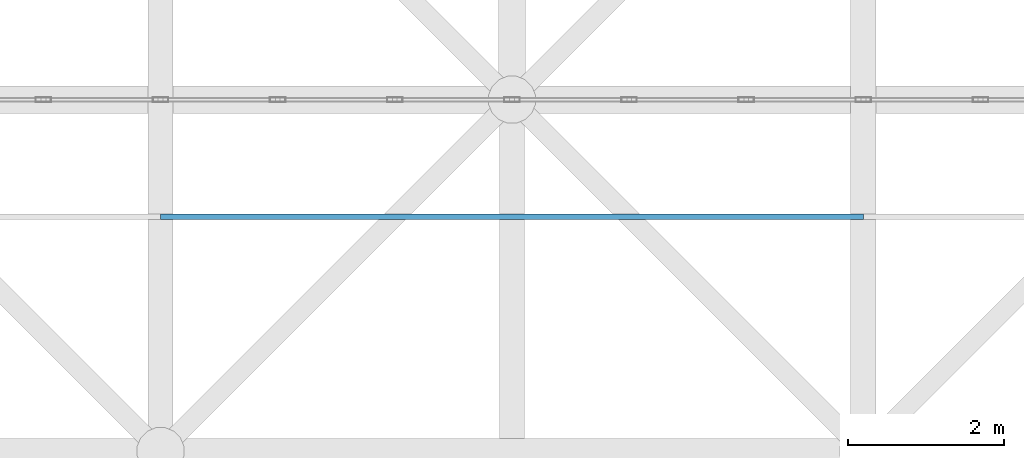
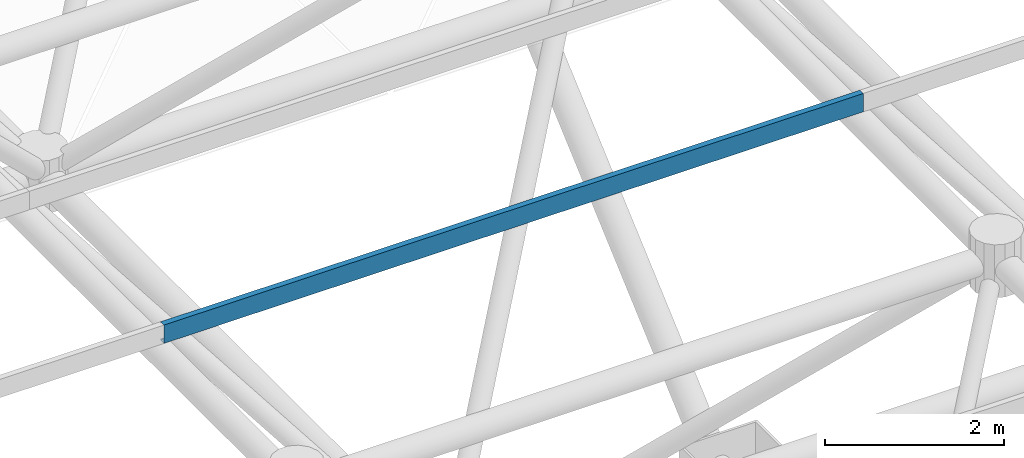
# One storey, part 171 of 437: 1 member.
"""IFC4 building model written with IfcOpenShell, lengths in metres."""

import ifcopenshell
import ifcopenshell.guid

model = None  # the IFC model being written
_history = None  # IfcOwnerHistory: only IFC2X3 demands one
_inside = {}  # id of a spatial element -> (the spatial element, [elements in it])
_under = {}  # id of a project, library or spatial element -> (it, [spatial elements below it])
_declared = {}  # id of a project -> (the project, [libraries it declares])
_typed = {}  # id of a type object -> (the type object, [elements of that type])
_made_of = {}  # id of a material, layer set ... -> (it, [elements and type objects made of it])


def new_model(schema):
    """Start an empty IFC model of exactly this schema.

    Asked for "IFC4X3", IfcOpenShell would pick the latest addendum, in which some entities
    have other attributes; the version numbers below select the first issue.
    IFC2X3 requires an IfcOwnerHistory on every rooted entity: one is made here for all.
    """
    global model, _history
    if schema == "IFC4X3":
        model = ifcopenshell.file(schema_version=(4, 3, 0, 0))
    else:
        model = ifcopenshell.file(schema=schema)
    _inside.clear()
    _under.clear()
    _declared.clear()
    _typed.clear()
    _made_of.clear()
    _history = None
    if model.schema == "IFC2X3":
        org = make("IfcOrganization", Name="unknown")
        user = make(
            "IfcPersonAndOrganization",
            ThePerson=make("IfcPerson", FamilyName="unknown"),
            TheOrganization=org,
        )
        app = make(
            "IfcApplication",
            ApplicationDeveloper=org,
            Version="unknown",
            ApplicationFullName="unknown",
            ApplicationIdentifier="unknown",
        )
        _history = make(
            "IfcOwnerHistory",
            OwningUser=user,
            OwningApplication=app,
            ChangeAction="ADDED",
            CreationDate=0,
        )
    return model


def make(cls, **values):
    """One entity of the class cls with the attributes given. An attribute that is None is left unset."""
    return model.create_entity(
        cls, **{name: value for name, value in values.items() if value is not None}
    )


def rooted(cls, **values):
    """An entity with a GlobalId (a new one), such as an element, a storey or a relation."""
    return make(cls, GlobalId=ifcopenshell.guid.new(), OwnerHistory=_history, **values)


def si_unit(unit_type, name, prefix=None):
    """IfcSIUnit, for example si_unit("LENGTHUNIT", "METRE", prefix="MILLI")."""
    return make("IfcSIUnit", UnitType=unit_type, Prefix=prefix, Name=name)


def assignment(units):
    """IfcUnitAssignment: the units of a project."""
    return None if units is None else make("IfcUnitAssignment", Units=units)


def point(xyz):
    """IfcCartesianPoint."""
    return None if xyz is None else make("IfcCartesianPoint", Coordinates=xyz)


def direction(xyz):
    """IfcDirection."""
    return None if xyz is None else make("IfcDirection", DirectionRatios=xyz)


def frame(location, z_axis=None, x_axis=None):
    """IfcAxis2Placement3D, a coordinate frame: its origin and axes. An axis left out is left unset."""
    return make(
        "IfcAxis2Placement3D",
        Location=point(location),
        Axis=direction(z_axis),
        RefDirection=direction(x_axis),
    )


def origin():
    """The frame at (0, 0, 0) with its axes left unset."""
    return frame((0.0, 0.0, 0.0))


def place(relative_to, where):
    """IfcLocalPlacement: puts the frame where relative to a parent placement (None: the world)."""
    return make(
        "IfcLocalPlacement", PlacementRelTo=relative_to, RelativePlacement=where
    )


def context(
    kind, dimensions, precision=None, world=None, true_north=None, identifier=None
):
    """IfcGeometricRepresentationContext, for example the 3D "Model" context."""
    return make(
        "IfcGeometricRepresentationContext",
        ContextIdentifier=identifier,
        ContextType=kind,
        CoordinateSpaceDimension=dimensions,
        Precision=precision,
        WorldCoordinateSystem=world,
        TrueNorth=true_north,
    )


def subcontext(parent, identifier, kind, view, scale=None):
    """IfcGeometricRepresentationSubContext, for example "Body" below "Model"."""
    return make(
        "IfcGeometricRepresentationSubContext",
        ContextIdentifier=identifier,
        ContextType=kind,
        ParentContext=parent,
        TargetScale=scale,
        TargetView=view,
    )


def project(units=None, contexts=None):
    """IfcProject with its units and contexts."""
    return rooted(
        "IfcProject",
        Name="project",
        RepresentationContexts=contexts,
        UnitsInContext=assignment(units),
    )


def spatial(cls, under=None, at=None, **own):
    """A site, building, storey or space (cls), placed at a placement, below another one or the project."""
    s = rooted(cls, ObjectPlacement=at, **own)
    if under is not None:
        _under.setdefault(under.id(), (under, []))[1].append(s)
    return s


def polyline(points):
    """IfcPolyline through the points."""
    return make("IfcPolyline", Points=[point(p) for p in points])


def outline(outer, holes=None, kind="AREA"):
    """IfcArbitraryClosedProfileDef: a profile drawn as a closed curve; with holes, ...WithVoids."""
    if holes is None:
        return make("IfcArbitraryClosedProfileDef", ProfileType=kind, OuterCurve=outer)
    return make(
        "IfcArbitraryProfileDefWithVoids",
        ProfileType=kind,
        OuterCurve=outer,
        InnerCurves=holes,
    )


def extrude(swept, where, along, depth):
    """IfcExtrudedAreaSolid: the profile swept, set in the frame where, extruded along a direction by depth."""
    return make(
        "IfcExtrudedAreaSolid",
        SweptArea=swept,
        Position=where,
        ExtrudedDirection=direction(along),
        Depth=depth,
    )


def shape(context_of_items, identifier, shape_type, items):
    """IfcShapeRepresentation: the items that make up one representation, for example the "Body"."""
    return make(
        "IfcShapeRepresentation",
        ContextOfItems=context_of_items,
        RepresentationIdentifier=identifier,
        RepresentationType=shape_type,
        Items=items,
    )


def material(Name=None, Category=None):
    """IfcMaterial."""
    return make("IfcMaterial", Name=Name, Category=Category)


def material_profile(
    of_material, cross_section, Name=None, Category=None, Priority=None
):
    """IfcMaterialProfile: a cross section and its material."""
    return make(
        "IfcMaterialProfile",
        Name=Name,
        Material=of_material,
        Profile=cross_section,
        Priority=Priority,
        Category=Category,
    )


def profile_set(profiles, Name=None, composite=None):
    """IfcMaterialProfileSet."""
    return make(
        "IfcMaterialProfileSet",
        Name=Name,
        MaterialProfiles=profiles,
        CompositeProfile=composite,
    )


def made_of(thing, what):
    """Note that an element or type object is made of a material, layer set ...; save() writes the relation."""
    if what is not None:
        _made_of.setdefault(what.id(), (what, []))[1].append(thing)
    return thing


def type_object(cls, material=None, **own):
    """A type object (cls), such as IfcWallType, which elements share."""
    return made_of(rooted(cls, **own), material)


def element(
    cls,
    number,
    at=None,
    inside=None,
    cuts=None,
    type_object=None,
    material=None,
    context=None,
    identifier="Body",
    shape_type=None,
    held_by="IfcProductDefinitionShape",
    body=None,
    shapes=None,
    **own,
):
    """One element of the class cls, such as IfcWall. Its Tag is "e" and its number.

    at: its placement. inside: the storey or other place that contains it. cuts: it is an
    opening in that element (IfcRelVoidsElement). A single representation is given by context,
    identifier, shape_type and body (its items); several are given by shapes. held_by: the class
    of the entity that holds the representations. save() writes the other relations.
    """
    e = rooted(cls, Tag="e%d" % number, ObjectPlacement=at, **own)
    if body is not None:
        shapes = [shape(context, identifier, shape_type, body)]
    if shapes is not None:
        e.Representation = make(held_by, Representations=shapes)
    if inside is not None:
        _inside.setdefault(inside.id(), (inside, []))[1].append(e)
    if cuts is not None:
        rooted(
            "IfcRelVoidsElement", RelatingBuildingElement=cuts, RelatedOpeningElement=e
        )
    if type_object is not None:
        _typed.setdefault(type_object.id(), (type_object, []))[1].append(e)
    return made_of(e, material)


def aggregate(whole, parts):
    """IfcRelAggregates: a whole, such as a stair, and the parts it consists of."""
    return rooted("IfcRelAggregates", RelatingObject=whole, RelatedObjects=parts)


def save(model, path):
    """Write the relations noted so far, then the file.

    IfcRelAggregates (storeys below a building ...), IfcRelContainedInSpatialStructure (elements
    in a storey), IfcRelDefinesByType, IfcRelAssociatesMaterial and IfcRelDeclares: one each for
    every whole, place, type object, material and project.
    """
    for whole, parts in _under.values():
        aggregate(whole, parts)
    for where, things in _inside.values():
        rooted(
            "IfcRelContainedInSpatialStructure",
            RelatedElements=things,
            RelatingStructure=where,
        )
    for kind, things in _typed.values():
        rooted("IfcRelDefinesByType", RelatedObjects=things, RelatingType=kind)
    for what, things in _made_of.values():
        rooted("IfcRelAssociatesMaterial", RelatedObjects=things, RelatingMaterial=what)
    for by, libraries in _declared.values():
        rooted("IfcRelDeclares", RelatingContext=by, RelatedDefinitions=libraries)
    model.write(path)


model = new_model("IFC4")

# Units and contexts
model_context = context("Model", 3, precision=1e-05, world=origin(), true_north=direction((0.0, 1.0)))
body_context = subcontext(model_context, "Body", "Model", "MODEL_VIEW")
ifc_project = project(units=[si_unit("LENGTHUNIT", "METRE"), si_unit("AREAUNIT", "SQUARE_METRE"), si_unit("VOLUMEUNIT", "CUBIC_METRE"), si_unit("PLANEANGLEUNIT", "RADIAN"), si_unit("MASSUNIT", "GRAM", prefix="KILO")], contexts=[model_context])

# Site, building, storey
site_placement = place(None, origin())
site = spatial("IfcSite", under=ifc_project, at=site_placement, CompositionType="ELEMENT")
building_placement = place(site_placement, origin())
building = spatial("IfcBuilding", under=site, at=building_placement, Name="Opaline Strait Convention Centre", CompositionType="ELEMENT")
storey_placement = place(building_placement, frame((0.0, 0.0, 11.5)))
storey = spatial("IfcBuildingStorey", under=building, at=storey_placement, Name="L02", CompositionType="ELEMENT", Elevation=11.5)

# Member
ifc_material = material(Name="Steel Q355B", Category="steel")
ifc_material_profile = material_profile(ifc_material, outline(polyline([(-0.03759765625, -0.125), (0.03759765625, -0.125), (0.03759765625, -0.10498046875), (0.034912109375, -0.10498046875), (0.034912109375, -0.12255859375), (-0.034912109375, -0.12255859375), (-0.034912109375, 0.12255859375), (0.034912109375, 0.12255859375), (0.034912109375, 0.10498046875), (0.03759765625, 0.10498046875), (0.03759765625, 0.125), (-0.03759765625, 0.125), (-0.03759765625, -0.125)])), Name="C 250x75x20x2.5")
ifc_profile_set = profile_set([ifc_material_profile], Name="Steel Q355B")
member_type = type_object("IfcMemberType", Name="Roof purlin C 250x75x20x2.5", PredefinedType="PURLIN", material=ifc_profile_set)
member_placement = place(storey_placement, frame((175.5, 142.5, 18.257080078125), z_axis=(1.0, 0.0, 0.0), x_axis=(0.0, 1.0, 0.0)))
element("IfcMember", 1, at=member_placement, inside=storey, type_object=member_type, Name="EXB-RF-P-10-11-0", PredefinedType="PURLIN", context=body_context, shape_type="SweptSolid", body=[
    extrude(outline(polyline([(-0.03759765625, -0.125), (0.03759765625, -0.125), (0.03759765625, -0.10498046875), (0.034912109375, -0.10498046875), (0.034912109375, -0.12255859375), (-0.034912109375, -0.12255859375), (-0.034912109375, 0.12255859375), (0.034912109375, 0.12255859375), (0.034912109375, 0.10498046875), (0.03759765625, 0.10498046875), (0.03759765625, 0.125), (-0.03759765625, 0.125), (-0.03759765625, -0.125)])), origin(), (0.0, 0.0, 1.0), 9.0),
])

save(model, "model.ifc")
